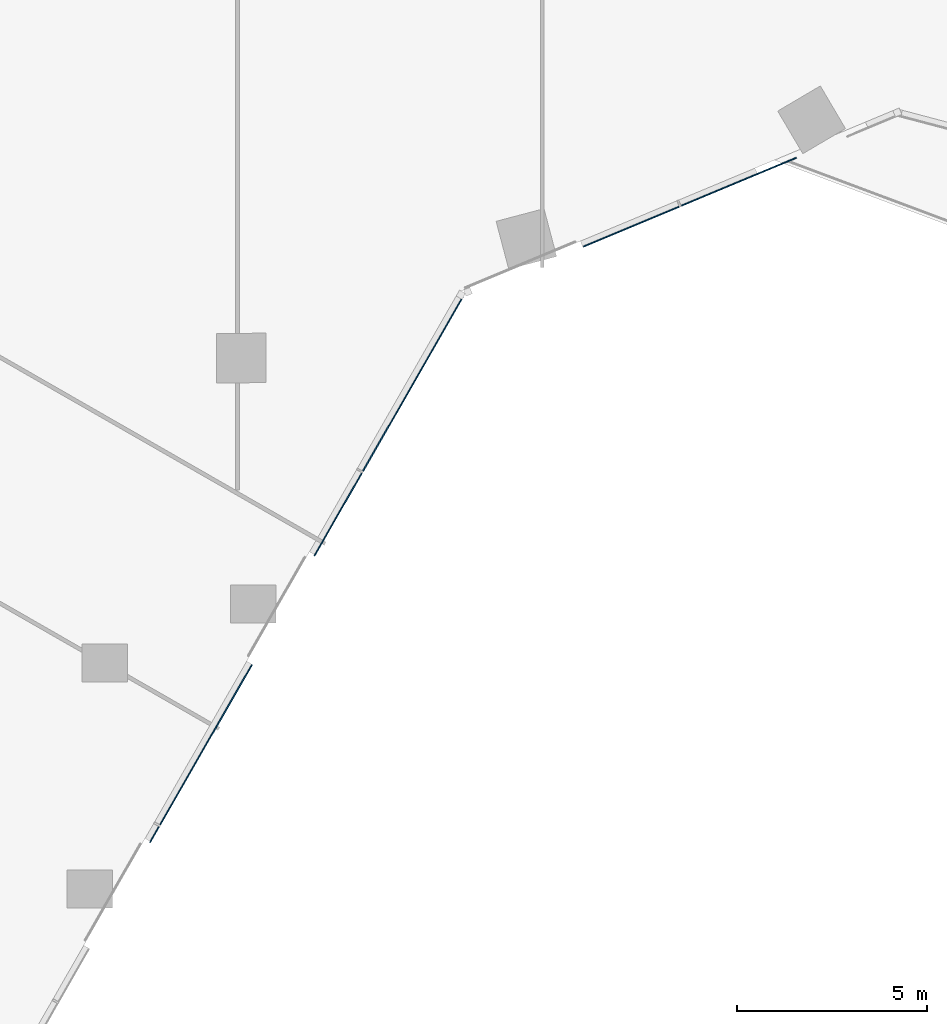
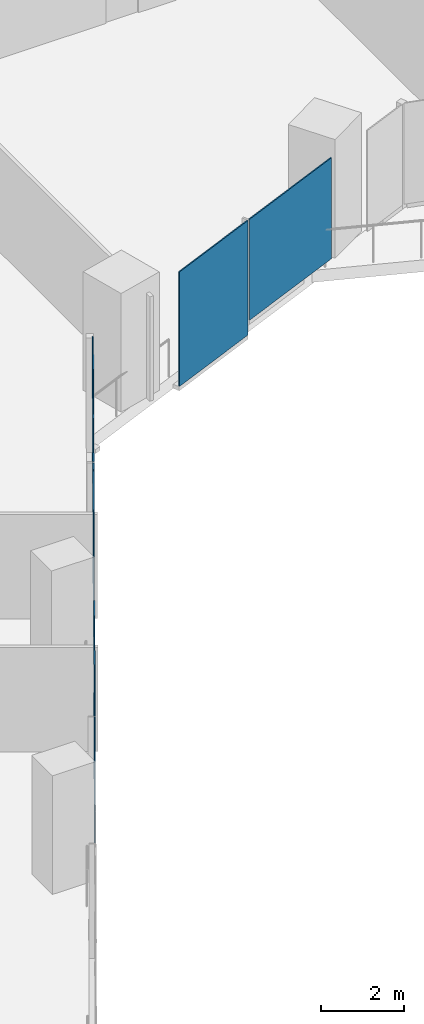
# One storey, part 17 of 34: 6 plates, 2 elements without a shape of their own.
"""IFC4 building model written with IfcOpenShell, lengths in metres."""

from ifc_helpers import new_model, si_unit, direction, frame, origin, origin_2d, place, context, subcontext, project, spatial, rectangle, extrude, material, layer, layer_set, type_object, element, aggregate, save


model = new_model("IFC4")

# Units and contexts
model_context = context("Model", 3, precision=1e-05, world=origin(), true_north=direction((0.0, 1.0)))
body_context = subcontext(model_context, "Body", "Model", "MODEL_VIEW")
ifc_project = project(units=[si_unit("LENGTHUNIT", "METRE"), si_unit("AREAUNIT", "SQUARE_METRE"), si_unit("VOLUMEUNIT", "CUBIC_METRE"), si_unit("PLANEANGLEUNIT", "RADIAN"), si_unit("MASSUNIT", "GRAM", prefix="KILO")], contexts=[model_context])

# Site, building, storey
site_placement = place(None, origin())
site = spatial("IfcSite", under=ifc_project, at=site_placement, CompositionType="ELEMENT")
building_placement = place(site_placement, origin())
building = spatial("IfcBuilding", under=site, at=building_placement, Name="Orlundy Tower", CompositionType="ELEMENT")
storey_placement = place(building_placement, frame((0.0, 0.0, 102.199951171875)))
storey = spatial("IfcBuildingStorey", under=building, at=storey_placement, Name="L25", CompositionType="ELEMENT", Elevation=102.199951171875)

# Curtain wall, plates
ifc_material_1 = material(Name="Aluminium bronze anodised", Category="aluminium")
curtain_wall_type = type_object("IfcCurtainWallType", Name="CW1 wall", PredefinedType="NOTDEFINED", material=ifc_material_1)
curtain_wall_1_placement = place(storey_placement, origin())
curtain_wall_1 = element("IfcCurtainWall", 1, at=curtain_wall_1_placement, inside=storey, type_object=curtain_wall_type, Name="CW1 run 01", PredefinedType="NOTDEFINED")
ifc_material_2 = material(Name="Tinted glass", Category="glass")
ifc_layer = layer(ifc_material_2, 0.031982421875)
ifc_layer_set = layer_set([ifc_layer], Name="CW1 glass panel 32")
plate_type = type_object("IfcPlateType", Name="CW1 glass panel 32", PredefinedType="CURTAIN_PANEL", material=ifc_layer_set)
plate_1_placement = place(storey_placement, frame((13.16162109375, -27.1923828125, 0.1201171875), z_axis=(0.0, 0.0, 1.0), x_axis=(-0.922759105019, -0.385377262048, 0.0)))
plate_1 = element("IfcPlate", 2, at=plate_1_placement, type_object=plate_type, Name="CW1 panel", PredefinedType="CURTAIN_PANEL", context=body_context, shape_type="SweptSolid", body=[
    extrude(rectangle(XDim=3.2822265625, YDim=0.031982421875, at=origin_2d()), origin(), (0.0, 0.0, 1.0), 2.97998046875),
])
plate_2_placement = place(storey_placement, frame((10.34326171875, -28.369140625, -0.27978515625), z_axis=(0.0, 0.0, 1.0), x_axis=(-0.922759105019, -0.385377262048, 0.0)))
plate_2 = element("IfcPlate", 3, at=plate_2_placement, type_object=plate_type, Name="CW1 panel", PredefinedType="CURTAIN_PANEL", context=body_context, shape_type="SweptSolid", body=[
    extrude(rectangle(XDim=2.72607421875, YDim=0.031982421875, at=origin_2d()), origin(), (0.0, 0.0, 1.0), 3.3798828125),
])
aggregate(curtain_wall_1, [plate_1, plate_2])

curtain_wall_2_placement = place(storey_placement, origin())
curtain_wall_2 = element("IfcCurtainWall", 4, at=curtain_wall_2_placement, inside=storey, type_object=curtain_wall_type, Name="CW1 run 02", PredefinedType="NOTDEFINED")
plate_3_placement = place(storey_placement, frame((4.602294921875, -32.50732421875, -0.27978515625), z_axis=(0.0, 0.0, 1.0), x_axis=(-0.497473280125, -0.867479299789, 0.0)))
plate_3 = element("IfcPlate", 5, at=plate_3_placement, type_object=plate_type, Name="CW1 panel", PredefinedType="CURTAIN_PANEL", context=body_context, shape_type="SweptSolid", body=[
    extrude(rectangle(XDim=5.27587890625, YDim=0.031982421875, at=origin_2d()), origin(), (0.0, 0.0, 1.0), 3.3798828125),
])
plate_4_placement = place(storey_placement, frame((2.639892578125, -35.928955078125, -0.27978515625), z_axis=(0.0, 0.0, 1.0), x_axis=(-0.497473280125, -0.867479299789, 0.0)))
plate_4 = element("IfcPlate", 6, at=plate_4_placement, type_object=plate_type, Name="CW1 panel", PredefinedType="CURTAIN_PANEL", context=body_context, shape_type="SweptSolid", body=[
    extrude(rectangle(XDim=2.512939453125, YDim=0.031982421875, at=origin_2d()), origin(), (0.0, 0.0, 1.0), 3.3798828125),
])
plate_5_placement = place(storey_placement, frame((-0.8330078125, -41.985107421875, -0.27978515625), z_axis=(0.0, 0.0, 1.0), x_axis=(-0.497473280125, -0.867479299789, 0.0)))
plate_5 = element("IfcPlate", 7, at=plate_5_placement, type_object=plate_type, Name="CW1 panel", PredefinedType="CURTAIN_PANEL", context=body_context, shape_type="SweptSolid", body=[
    extrude(rectangle(XDim=4.851318359375, YDim=0.031982421875, at=origin_2d()), origin(), (0.0, 0.0, 1.0), 3.3798828125),
])
plate_6_placement = place(storey_placement, frame((-2.18408203125, -44.341064453125, -0.27978515625), z_axis=(0.0, 0.0, 1.0), x_axis=(-0.497473280125, -0.867479299789, 0.0)))
plate_6 = element("IfcPlate", 8, at=plate_6_placement, type_object=plate_type, Name="CW1 panel", PredefinedType="CURTAIN_PANEL", context=body_context, shape_type="SweptSolid", body=[
    extrude(rectangle(XDim=0.480712890625, YDim=0.031982421875, at=origin_2d()), origin(), (0.0, 0.0, 1.0), 3.3798828125),
])
aggregate(curtain_wall_2, [plate_3, plate_4, plate_5, plate_6])

save(model, "model.ifc")
